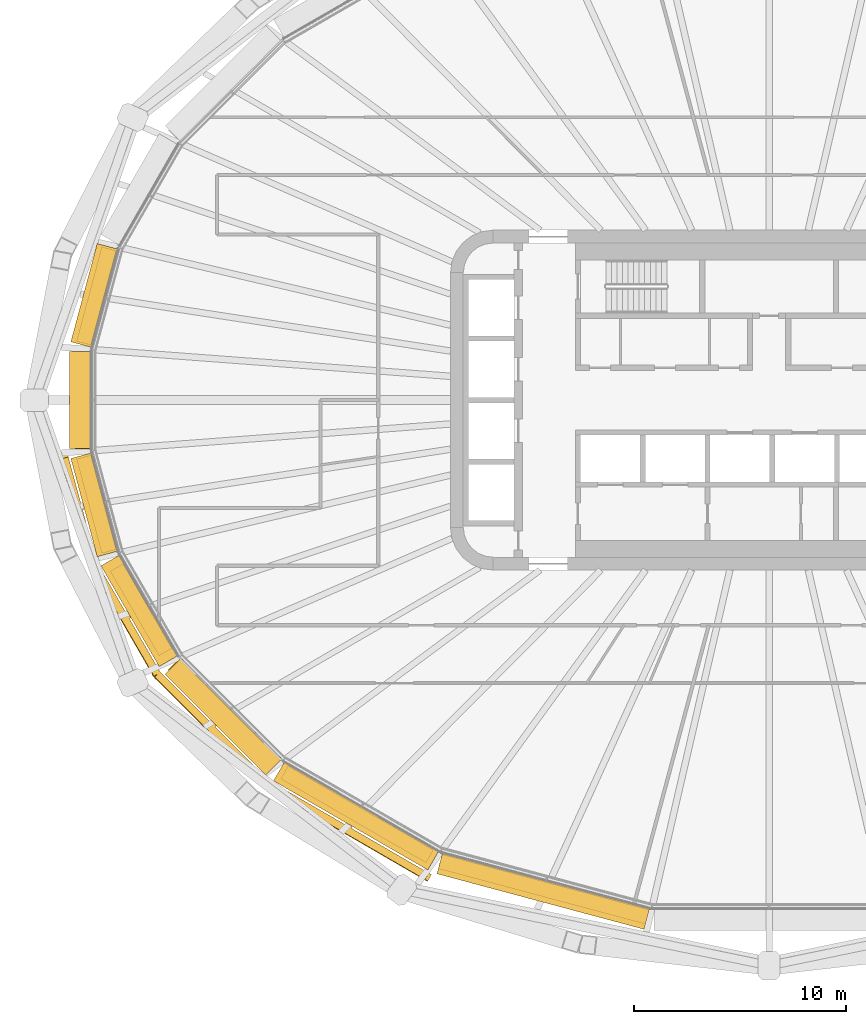
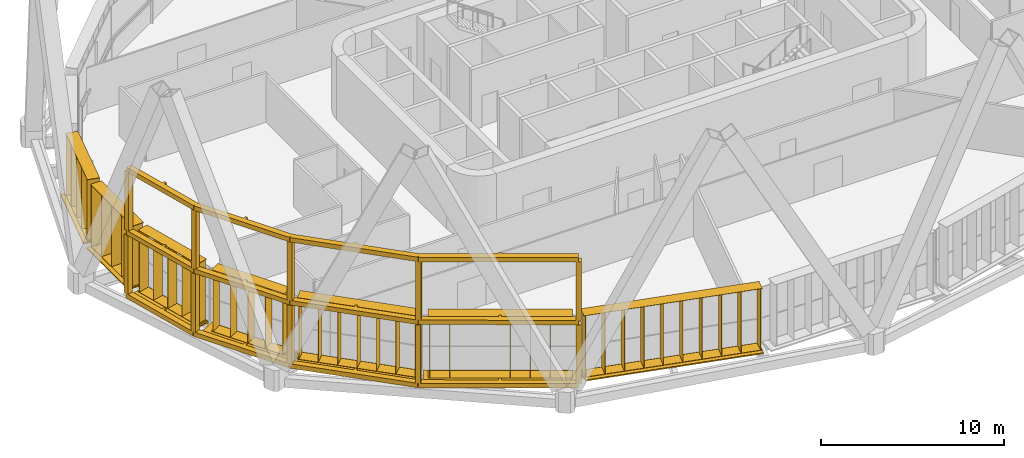
# One storey, part 20 of 25: 15 shading devices.
"""IFC4 building model written with IfcOpenShell, lengths in metres."""

from ifc_helpers import new_model, si_unit, direction, frame, origin, origin_2d, place, context, subcontext, project, spatial, polyline, rectangle, outline, extrude, material, type_object, element, save


model = new_model("IFC4")

# Units and contexts
model_context = context("Model", 3, precision=1e-05, world=origin(), true_north=direction((0.0, 1.0)))
body_context = subcontext(model_context, "Body", "Model", "MODEL_VIEW")
ifc_project = project(units=[si_unit("LENGTHUNIT", "METRE"), si_unit("AREAUNIT", "SQUARE_METRE"), si_unit("VOLUMEUNIT", "CUBIC_METRE"), si_unit("PLANEANGLEUNIT", "RADIAN"), si_unit("MASSUNIT", "GRAM", prefix="KILO")], contexts=[model_context])

# Site, building, storey
site_placement = place(None, origin())
site = spatial("IfcSite", under=ifc_project, at=site_placement, CompositionType="ELEMENT")
building_placement = place(site_placement, origin())
building = spatial("IfcBuilding", under=site, at=building_placement, Name="Sahrelin Media Tower", CompositionType="ELEMENT")
storey_placement = place(building_placement, frame((0.0, 0.0, 114.60009765625)))
storey = spatial("IfcBuildingStorey", under=building, at=storey_placement, Name="L22", CompositionType="ELEMENT", Elevation=114.60009765625)

# Shading devices
ifc_material_1 = material(Name="Dark bronze anodised aluminium 6063-T6", Category="aluminium")
shading_device_type_1 = type_object("IfcShadingDeviceType", Name="Deep frame", PredefinedType="USERDEFINED", material=ifc_material_1)
shading_device_1_placement = place(storey_placement, frame((-31.915771484375, -2.385009765625, 0.0), z_axis=(0.0, 0.0, 1.0), x_axis=(-0.258807731996, 0.965928857556, 0.0)))
element("IfcShadingDevice", 1, at=shading_device_1_placement, inside=storey, type_object=shading_device_type_1, Name="L22:FRAME:F2-3", ObjectType="FRAME", PredefinedType="USERDEFINED", context=body_context, shape_type="SweptSolid", body=[
    extrude(rectangle(XDim=0.300048828125, YDim=0.35009765625, at=origin_2d()), frame((0.0, 1.324951171875, 0.14990234375), z_axis=(0.0, 0.0, 1.0), x_axis=(-1.0, 0.0, 0.0)), (0.0, 0.0, 1.0), 3.900146484375),
    extrude(rectangle(XDim=0.300048828125, YDim=0.35009765625, at=origin_2d()), frame((-5.161376953125, 1.313720703125, 0.14990234375), z_axis=(0.0, 0.0, 1.0), x_axis=(-0.991449189241, -0.130493314592, 0.0)), (0.0, 0.0, 1.0), 3.900146484375),
    extrude(rectangle(XDim=0.300048828125, YDim=0.35009765625, at=origin_2d()), frame((-10.97802734375, -0.24462890625, 0.14990234375), z_axis=(0.0, 0.0, 1.0), x_axis=(-0.923862165937, -0.382725356294, 0.0)), (0.0, 0.0, 1.0), 3.900146484375),
    extrude(rectangle(XDim=0.300048828125, YDim=0.35009765625, at=origin_2d()), frame((-17.2490234375, -3.864990234375, 0.14990234375), z_axis=(0.0, 0.0, 1.0), x_axis=(-0.793352277801, -0.608762813671, 0.0)), (0.0, 0.0, 1.0), 3.900146484375),
    extrude(rectangle(XDim=0.300048828125, YDim=0.35009765625, at=origin_2d()), frame((-23.455078125, -10.054931640625, 0.14990234375), z_axis=(0.0, 0.0, 1.0), x_axis=(-0.707106781187, -0.707106781187, 0.0)), (0.0, 0.0, 1.0), 3.900146484375),
    extrude(outline(polyline([(-23.57861328125, -9.930908203125), (-23.33154296875, -10.1787109375), (-20.342529296875, -7.19775390625), (-20.21923828125, -7.3212890625), (-20.113037109375, -7.215087890625), (-20.236328125, -7.091796875), (-17.1416015625, -4.005126953125), (-14.091064453125, -2.243896484375), (-14.006591796875, -2.389892578125), (-13.876708984375, -2.31494140625), (-13.961181640625, -2.1689453125), (-10.910400390625, -0.40771484375), (-8.096923828125, 0.345947265625), (-8.05322265625, 0.18310546875), (-7.908447265625, 0.221923828125), (-7.951904296875, 0.384765625), (-5.13818359375, 1.138671875), (-2.5693359375, 1.144287109375), (-2.5693359375, 0.969970703125), (-2.419189453125, 0.969970703125), (-2.419189453125, 1.144775390625), (0.00048828125, 1.14990234375), (-0.00048828125, 1.5), (-5.161865234375, 1.48876953125), (-5.161376953125, 1.313720703125), (-5.206787109375, 1.482666015625), (-11.023193359375, -0.07568359375), (-10.97802734375, -0.24462890625), (-11.065673828125, -0.09326171875), (-17.33642578125, -3.71337890625), (-17.2490234375, -3.864990234375), (-17.37255859375, -3.7412109375), (-23.57861328125, -9.930908203125)])), frame((0.0, 0.0, -0.14990234375)), (0.0, 0.0, 1.0), 0.2998046875),
    extrude(rectangle(XDim=0.300048828125, YDim=0.35009765625, at=origin_2d()), frame((-0.006103515625, 1.29150390625, 4.35009765625), z_axis=(0.0, 0.0, 1.0), x_axis=(-1.0, 0.0, 0.0)), (0.0, 0.0, 1.0), 3.89990234375),
    extrude(rectangle(XDim=0.300048828125, YDim=0.35009765625, at=origin_2d()), frame((-5.162109375, 1.280029296875, 4.35009765625), z_axis=(0.0, 0.0, 1.0), x_axis=(-0.991449189241, -0.130493314592, 0.0)), (0.0, 0.0, 1.0), 3.89990234375),
    extrude(rectangle(XDim=0.300048828125, YDim=0.35009765625, at=origin_2d()), frame((-10.97265625, -0.276611328125, 4.35009765625), z_axis=(0.0, 0.0, 1.0), x_axis=(-0.923876860854, -0.382689882252, 0.0)), (0.0, 0.0, 1.0), 3.89990234375),
    extrude(rectangle(XDim=0.300048828125, YDim=0.35009765625, at=origin_2d()), frame((-17.237060546875, -3.893310546875, 4.35009765625), z_axis=(0.0, 0.0, 1.0), x_axis=(-0.793352277801, -0.608762813671, 0.0)), (0.0, 0.0, 1.0), 3.89990234375),
    extrude(rectangle(XDim=0.300048828125, YDim=0.35009765625, at=origin_2d()), frame((-23.4365234375, -10.07666015625, 4.35009765625), z_axis=(0.0, 0.0, 1.0), x_axis=(-0.707206738986, -0.707006809255, 0.0)), (0.0, 0.0, 1.0), 3.89990234375),
    extrude(outline(polyline([(-23.560302734375, -9.95263671875), (-23.31298828125, -10.200439453125), (-20.327392578125, -7.22265625), (-20.2041015625, -7.34619140625), (-20.097900390625, -7.239990234375), (-20.22119140625, -7.11669921875), (-17.129638671875, -4.033447265625), (-14.082275390625, -2.274169921875), (-13.998046875, -2.420166015625), (-13.8681640625, -2.34521484375), (-13.952392578125, -2.19921875), (-10.905029296875, -0.439697265625), (-8.094482421875, 0.313232421875), (-8.05078125, 0.150390625), (-7.906005859375, 0.189208984375), (-7.94970703125, 0.35205078125), (-5.138916015625, 1.105224609375), (-2.57275390625, 1.11083984375), (-2.57275390625, 0.936279296875), (-2.422607421875, 0.936279296875), (-2.422607421875, 1.111083984375), (-0.005859375, 1.116455078125), (-0.006591796875, 1.46630859375), (-5.16259765625, 1.455078125), (-5.162109375, 1.280029296875), (-5.20751953125, 1.44921875), (-11.01806640625, -0.107666015625), (-10.97265625, -0.276611328125), (-11.060302734375, -0.125244140625), (-17.324462890625, -3.74169921875), (-17.237060546875, -3.893310546875), (-17.360595703125, -3.769287109375), (-23.560302734375, -9.95263671875)])), frame((0.0, 0.0, 4.050048828125)), (0.0, 0.0, 1.0), 0.300048828125),
    extrude(outline(polyline([(-23.560302734375, -9.95263671875), (-23.31298828125, -10.200439453125), (-20.327392578125, -7.22265625), (-20.2041015625, -7.34619140625), (-20.097900390625, -7.239990234375), (-20.22119140625, -7.11669921875), (-17.129638671875, -4.033447265625), (-14.082275390625, -2.274169921875), (-13.998046875, -2.420166015625), (-13.8681640625, -2.34521484375), (-13.952392578125, -2.19921875), (-10.905029296875, -0.439697265625), (-8.094482421875, 0.313232421875), (-8.05078125, 0.150390625), (-7.906005859375, 0.189208984375), (-7.94970703125, 0.35205078125), (-5.138916015625, 1.105224609375), (-2.57275390625, 1.11083984375), (-2.57275390625, 0.936279296875), (-2.422607421875, 0.936279296875), (-2.422607421875, 1.111083984375), (-0.005859375, 1.116455078125), (-0.006591796875, 1.46630859375), (-5.16259765625, 1.455078125), (-5.162109375, 1.280029296875), (-5.20751953125, 1.44921875), (-11.01806640625, -0.107666015625), (-10.97265625, -0.276611328125), (-11.060302734375, -0.125244140625), (-17.324462890625, -3.74169921875), (-17.237060546875, -3.893310546875), (-17.360595703125, -3.769287109375), (-23.560302734375, -9.95263671875)])), frame((0.0, 0.0, 8.25)), (0.0, 0.0, 1.0), 0.300048828125),
])
ifc_material_2 = material(Name="Champagne anodised aluminium 6063-T6", Category="aluminium")
shading_device_type_2 = type_object("IfcShadingDeviceType", Name="Fin cassette", PredefinedType="USERDEFINED", material=ifc_material_2)
placement_1 = place(storey_placement, frame((-31.270263671875, 4.794189453125, 0.0), z_axis=(0.0, 0.0, 1.0), x_axis=(0.258807731996, 0.965928857556, 0.0)))
element("IfcShadingDevice", 2, at=placement_1, inside=storey, type_object=shading_device_type_2, Name="L22:FIN:L22-11", ObjectType="FIN", PredefinedType="USERDEFINED", context=body_context, shape_type="SweptSolid", body=[
    extrude(rectangle(XDim=4.60009765625, YDim=0.699951171875, at=origin_2d()), frame((0.0, 0.419921875, 0.0)), (0.0, 0.0, 1.0), 0.02001953125),
    extrude(rectangle(XDim=4.60009765625, YDim=0.699951171875, at=origin_2d()), frame((0.0, 0.419921875, 4.10009765625)), (0.0, 0.0, 1.0), 0.02001953125),
    extrude(rectangle(XDim=0.02001953125, YDim=0.699951171875, at=origin_2d()), frame((-2.199951171875, 0.419921875, 0.010009765625), z_axis=(0.0, 0.0, 1.0), x_axis=(1.0, 0.0, 0.0)), (0.0, 0.0, 1.0), 4.10009765625),
    extrude(rectangle(XDim=0.02001953125, YDim=0.699951171875, at=origin_2d()), frame((-1.10009765625, 0.419921875, 0.010009765625), z_axis=(0.0, 0.0, 1.0), x_axis=(1.0, 0.0, 0.0)), (0.0, 0.0, 1.0), 4.10009765625),
    extrude(rectangle(XDim=0.02001953125, YDim=0.699951171875, at=origin_2d()), frame((0.0, 0.419921875, 0.010009765625), z_axis=(0.0, 0.0, 1.0), x_axis=(1.0, 0.0, 0.0)), (0.0, 0.0, 1.0), 4.10009765625),
    extrude(rectangle(XDim=0.02001953125, YDim=0.699951171875, at=origin_2d()), frame((1.10009765625, 0.419921875, 0.010009765625), z_axis=(0.0, 0.0, 1.0), x_axis=(1.0, 0.0, 0.0)), (0.0, 0.0, 1.0), 4.10009765625),
    extrude(rectangle(XDim=0.02001953125, YDim=0.699951171875, at=origin_2d()), frame((2.199951171875, 0.419921875, 0.010009765625), z_axis=(0.0, 0.0, 1.0), x_axis=(1.0, 0.0, 0.0)), (0.0, 0.0, 1.0), 4.10009765625),
])
placement_2 = place(storey_placement, frame((-31.915771484375, 0.0, 0.0), z_axis=(0.0, 0.0, 1.0), x_axis=(0.0, 1.0, 0.0)))
element("IfcShadingDevice", 3, at=placement_2, inside=storey, type_object=shading_device_type_2, Name="L22:FIN:L22-12", ObjectType="FIN", PredefinedType="USERDEFINED", context=body_context, shape_type="SweptSolid", body=[
    extrude(rectangle(XDim=4.60009765625, YDim=0.699951171875, at=origin_2d()), frame((0.0, 0.419921875, 0.0)), (0.0, 0.0, 1.0), 0.02001953125),
    extrude(rectangle(XDim=4.60009765625, YDim=0.699951171875, at=origin_2d()), frame((0.0, 0.419921875, 4.10009765625)), (0.0, 0.0, 1.0), 0.02001953125),
    extrude(rectangle(XDim=0.02001953125, YDim=0.699951171875, at=origin_2d()), frame((-2.199951171875, 0.419921875, 0.010009765625), z_axis=(0.0, 0.0, 1.0), x_axis=(1.0, 0.0, 0.0)), (0.0, 0.0, 1.0), 4.10009765625),
    extrude(rectangle(XDim=0.02001953125, YDim=0.699951171875, at=origin_2d()), frame((-1.10009765625, 0.419921875, 0.010009765625), z_axis=(0.0, 0.0, 1.0), x_axis=(1.0, 0.0, 0.0)), (0.0, 0.0, 1.0), 4.10009765625),
    extrude(rectangle(XDim=0.02001953125, YDim=0.699951171875, at=origin_2d()), frame((0.0, 0.419921875, 0.010009765625), z_axis=(0.0, 0.0, 1.0), x_axis=(1.0, 0.0, 0.0)), (0.0, 0.0, 1.0), 4.10009765625),
    extrude(rectangle(XDim=0.02001953125, YDim=0.699951171875, at=origin_2d()), frame((1.10009765625, 0.419921875, 0.010009765625), z_axis=(0.0, 0.0, 1.0), x_axis=(1.0, 0.0, 0.0)), (0.0, 0.0, 1.0), 4.10009765625),
    extrude(rectangle(XDim=0.02001953125, YDim=0.699951171875, at=origin_2d()), frame((2.199951171875, 0.419921875, 0.010009765625), z_axis=(0.0, 0.0, 1.0), x_axis=(1.0, 0.0, 0.0)), (0.0, 0.0, 1.0), 4.10009765625),
])
placement_3 = place(storey_placement, frame((-31.270263671875, -4.794189453125, 0.0), z_axis=(0.0, 0.0, 1.0), x_axis=(-0.258807731996, 0.965928857556, 0.0)))
element("IfcShadingDevice", 4, at=placement_3, inside=storey, type_object=shading_device_type_2, Name="L22:FIN:L22-13", ObjectType="FIN", PredefinedType="USERDEFINED", context=body_context, shape_type="SweptSolid", body=[
    extrude(rectangle(XDim=4.60009765625, YDim=0.699951171875, at=origin_2d()), frame((0.0, 0.419921875, 0.0)), (0.0, 0.0, 1.0), 0.02001953125),
    extrude(rectangle(XDim=4.60009765625, YDim=0.699951171875, at=origin_2d()), frame((0.0, 0.419921875, 4.10009765625)), (0.0, 0.0, 1.0), 0.02001953125),
    extrude(rectangle(XDim=0.02001953125, YDim=0.699951171875, at=origin_2d()), frame((-2.199951171875, 0.419921875, 0.010009765625), z_axis=(0.0, 0.0, 1.0), x_axis=(1.0, 0.0, 0.0)), (0.0, 0.0, 1.0), 4.10009765625),
    extrude(rectangle(XDim=0.02001953125, YDim=0.699951171875, at=origin_2d()), frame((-1.10009765625, 0.419921875, 0.010009765625), z_axis=(0.0, 0.0, 1.0), x_axis=(1.0, 0.0, 0.0)), (0.0, 0.0, 1.0), 4.10009765625),
    extrude(rectangle(XDim=0.02001953125, YDim=0.699951171875, at=origin_2d()), frame((0.0, 0.419921875, 0.010009765625), z_axis=(0.0, 0.0, 1.0), x_axis=(1.0, 0.0, 0.0)), (0.0, 0.0, 1.0), 4.10009765625),
    extrude(rectangle(XDim=0.02001953125, YDim=0.699951171875, at=origin_2d()), frame((1.10009765625, 0.419921875, 0.010009765625), z_axis=(0.0, 0.0, 1.0), x_axis=(1.0, 0.0, 0.0)), (0.0, 0.0, 1.0), 4.10009765625),
    extrude(rectangle(XDim=0.02001953125, YDim=0.699951171875, at=origin_2d()), frame((2.199951171875, 0.419921875, 0.010009765625), z_axis=(0.0, 0.0, 1.0), x_axis=(1.0, 0.0, 0.0)), (0.0, 0.0, 1.0), 4.10009765625),
])
placement_4 = place(storey_placement, frame((-29.20556640625, -9.6611328125, 0.0), z_axis=(0.0, 0.0, 1.0), x_axis=(-0.500011000363, 0.866019052629, 0.0)))
element("IfcShadingDevice", 5, at=placement_4, inside=storey, type_object=shading_device_type_2, Name="L22:FIN:L22-14", ObjectType="FIN", PredefinedType="USERDEFINED", context=body_context, shape_type="SweptSolid", body=[
    extrude(rectangle(XDim=4.60009765625, YDim=0.699951171875, at=origin_2d()), frame((0.0, 0.419921875, 0.0)), (0.0, 0.0, 1.0), 0.02001953125),
    extrude(rectangle(XDim=4.60009765625, YDim=0.699951171875, at=origin_2d()), frame((0.0, 0.419921875, 4.10009765625)), (0.0, 0.0, 1.0), 0.02001953125),
    extrude(rectangle(XDim=0.02001953125, YDim=0.699951171875, at=origin_2d()), frame((-2.199951171875, 0.419921875, 0.010009765625), z_axis=(0.0, 0.0, 1.0), x_axis=(1.0, 0.0, 0.0)), (0.0, 0.0, 1.0), 4.10009765625),
    extrude(rectangle(XDim=0.02001953125, YDim=0.699951171875, at=origin_2d()), frame((-1.10009765625, 0.419921875, 0.010009765625), z_axis=(0.0, 0.0, 1.0), x_axis=(1.0, 0.0, 0.0)), (0.0, 0.0, 1.0), 4.10009765625),
    extrude(rectangle(XDim=0.02001953125, YDim=0.699951171875, at=origin_2d()), frame((0.0, 0.419921875, 0.010009765625), z_axis=(0.0, 0.0, 1.0), x_axis=(1.0, 0.0, 0.0)), (0.0, 0.0, 1.0), 4.10009765625),
    extrude(rectangle(XDim=0.02001953125, YDim=0.699951171875, at=origin_2d()), frame((1.10009765625, 0.419921875, 0.010009765625), z_axis=(0.0, 0.0, 1.0), x_axis=(1.0, 0.0, 0.0)), (0.0, 0.0, 1.0), 4.10009765625),
    extrude(rectangle(XDim=0.02001953125, YDim=0.699951171875, at=origin_2d()), frame((2.199951171875, 0.419921875, 0.010009765625), z_axis=(0.0, 0.0, 1.0), x_axis=(1.0, 0.0, 0.0)), (0.0, 0.0, 1.0), 4.10009765625),
])
placement_5 = place(storey_placement, frame((-25.34912109375, -14.556884765625, 0.0), z_axis=(0.0, 0.0, 1.0), x_axis=(-0.707106781187, 0.707106781187, 0.0)))
element("IfcShadingDevice", 6, at=placement_5, inside=storey, type_object=shading_device_type_2, Name="L22:FIN:L22-15", ObjectType="FIN", PredefinedType="USERDEFINED", context=body_context, shape_type="SweptSolid", body=[
    extrude(rectangle(XDim=6.800048828125, YDim=0.699951171875, at=origin_2d()), frame((0.0, 0.419921875, 0.0)), (0.0, 0.0, 1.0), 0.02001953125),
    extrude(rectangle(XDim=6.800048828125, YDim=0.699951171875, at=origin_2d()), frame((0.0, 0.419921875, 4.10009765625)), (0.0, 0.0, 1.0), 0.02001953125),
    extrude(rectangle(XDim=0.02001953125, YDim=0.699951171875, at=origin_2d()), frame((-3.300048828125, 0.419921875, 0.010009765625), z_axis=(0.0, 0.0, 1.0), x_axis=(1.0, 0.0, 0.0)), (0.0, 0.0, 1.0), 4.10009765625),
    extrude(rectangle(XDim=0.02001953125, YDim=0.699951171875, at=origin_2d()), frame((-2.199951171875, 0.419921875, 0.010009765625), z_axis=(0.0, 0.0, 1.0), x_axis=(1.0, 0.0, 0.0)), (0.0, 0.0, 1.0), 4.10009765625),
    extrude(rectangle(XDim=0.02001953125, YDim=0.699951171875, at=origin_2d()), frame((-1.10009765625, 0.419921875, 0.010009765625), z_axis=(0.0, 0.0, 1.0), x_axis=(1.0, 0.0, 0.0)), (0.0, 0.0, 1.0), 4.10009765625),
    extrude(rectangle(XDim=0.02001953125, YDim=0.699951171875, at=origin_2d()), frame((0.0, 0.419921875, 0.010009765625), z_axis=(0.0, 0.0, 1.0), x_axis=(1.0, 0.0, 0.0)), (0.0, 0.0, 1.0), 4.10009765625),
    extrude(rectangle(XDim=0.02001953125, YDim=0.699951171875, at=origin_2d()), frame((1.10009765625, 0.419921875, 0.010009765625), z_axis=(0.0, 0.0, 1.0), x_axis=(1.0, 0.0, 0.0)), (0.0, 0.0, 1.0), 4.10009765625),
    extrude(rectangle(XDim=0.02001953125, YDim=0.699951171875, at=origin_2d()), frame((2.199951171875, 0.419921875, 0.010009765625), z_axis=(0.0, 0.0, 1.0), x_axis=(1.0, 0.0, 0.0)), (0.0, 0.0, 1.0), 4.10009765625),
    extrude(rectangle(XDim=0.02001953125, YDim=0.699951171875, at=origin_2d()), frame((3.300048828125, 0.419921875, 0.010009765625), z_axis=(0.0, 0.0, 1.0), x_axis=(1.0, 0.0, 0.0)), (0.0, 0.0, 1.0), 4.10009765625),
])
placement_6 = place(storey_placement, frame((-19.190673828125, -19.142578125, 0.0), z_axis=(0.0, 0.0, 1.0), x_axis=(-0.866019052629, 0.500011000363, 0.0)))
element("IfcShadingDevice", 7, at=placement_6, inside=storey, type_object=shading_device_type_2, Name="L22:FIN:L22-16", ObjectType="FIN", PredefinedType="USERDEFINED", context=body_context, shape_type="SweptSolid", body=[
    extrude(rectangle(XDim=7.89990234375, YDim=0.699951171875, at=origin_2d()), frame((0.0, 0.419921875, 0.0)), (0.0, 0.0, 1.0), 0.02001953125),
    extrude(rectangle(XDim=7.89990234375, YDim=0.699951171875, at=origin_2d()), frame((0.0, 0.419921875, 4.10009765625)), (0.0, 0.0, 1.0), 0.02001953125),
    extrude(rectangle(XDim=0.02001953125, YDim=0.699951171875, at=origin_2d()), frame((-3.85009765625, 0.419921875, 0.010009765625), z_axis=(0.0, 0.0, 1.0), x_axis=(1.0, 0.0, 0.0)), (0.0, 0.0, 1.0), 4.10009765625),
    extrude(rectangle(XDim=0.02001953125, YDim=0.699951171875, at=origin_2d()), frame((-2.75, 0.419921875, 0.010009765625), z_axis=(0.0, 0.0, 1.0), x_axis=(1.0, 0.0, 0.0)), (0.0, 0.0, 1.0), 4.10009765625),
    extrude(rectangle(XDim=0.02001953125, YDim=0.699951171875, at=origin_2d()), frame((-1.64990234375, 0.419921875, 0.010009765625), z_axis=(0.0, 0.0, 1.0), x_axis=(1.0, 0.0, 0.0)), (0.0, 0.0, 1.0), 4.10009765625),
    extrude(rectangle(XDim=0.02001953125, YDim=0.699951171875, at=origin_2d()), frame((-0.550048828125, 0.419921875, 0.010009765625), z_axis=(0.0, 0.0, 1.0), x_axis=(1.0, 0.0, 0.0)), (0.0, 0.0, 1.0), 4.10009765625),
    extrude(rectangle(XDim=0.02001953125, YDim=0.699951171875, at=origin_2d()), frame((0.550048828125, 0.419921875, 0.010009765625), z_axis=(0.0, 0.0, 1.0), x_axis=(1.0, 0.0, 0.0)), (0.0, 0.0, 1.0), 4.10009765625),
    extrude(rectangle(XDim=0.02001953125, YDim=0.699951171875, at=origin_2d()), frame((1.64990234375, 0.419921875, 0.010009765625), z_axis=(0.0, 0.0, 1.0), x_axis=(1.0, 0.0, 0.0)), (0.0, 0.0, 1.0), 4.10009765625),
    extrude(rectangle(XDim=0.02001953125, YDim=0.699951171875, at=origin_2d()), frame((2.75, 0.419921875, 0.010009765625), z_axis=(0.0, 0.0, 1.0), x_axis=(1.0, 0.0, 0.0)), (0.0, 0.0, 1.0), 4.10009765625),
    extrude(rectangle(XDim=0.02001953125, YDim=0.699951171875, at=origin_2d()), frame((3.85009765625, 0.419921875, 0.010009765625), z_axis=(0.0, 0.0, 1.0), x_axis=(1.0, 0.0, 0.0)), (0.0, 0.0, 1.0), 4.10009765625),
])
placement_7 = place(storey_placement, frame((-10.498046875, -22.623046875, 0.0), z_axis=(0.0, 0.0, 1.0), x_axis=(-0.965928857556, 0.258807731996, 0.0)))
element("IfcShadingDevice", 8, at=placement_7, inside=storey, type_object=shading_device_type_2, Name="L22:FIN:L22-17", ObjectType="FIN", PredefinedType="USERDEFINED", context=body_context, shape_type="SweptSolid", body=[
    extrude(rectangle(XDim=10.10009765625, YDim=0.699951171875, at=origin_2d()), frame((0.0, 0.419921875, 0.0)), (0.0, 0.0, 1.0), 0.02001953125),
    extrude(rectangle(XDim=10.10009765625, YDim=0.699951171875, at=origin_2d()), frame((0.0, 0.419921875, 4.10009765625)), (0.0, 0.0, 1.0), 0.02001953125),
    extrude(rectangle(XDim=0.02001953125, YDim=0.699951171875, at=origin_2d()), frame((-4.949951171875, 0.419921875, 0.010009765625), z_axis=(0.0, 0.0, 1.0), x_axis=(1.0, 0.0, 0.0)), (0.0, 0.0, 1.0), 4.10009765625),
    extrude(rectangle(XDim=0.02001953125, YDim=0.699951171875, at=origin_2d()), frame((-3.85009765625, 0.419921875, 0.010009765625), z_axis=(0.0, 0.0, 1.0), x_axis=(1.0, 0.0, 0.0)), (0.0, 0.0, 1.0), 4.10009765625),
    extrude(rectangle(XDim=0.02001953125, YDim=0.699951171875, at=origin_2d()), frame((-2.75, 0.419921875, 0.010009765625), z_axis=(0.0, 0.0, 1.0), x_axis=(1.0, 0.0, 0.0)), (0.0, 0.0, 1.0), 4.10009765625),
    extrude(rectangle(XDim=0.02001953125, YDim=0.699951171875, at=origin_2d()), frame((-1.64990234375, 0.419921875, 0.010009765625), z_axis=(0.0, 0.0, 1.0), x_axis=(1.0, 0.0, 0.0)), (0.0, 0.0, 1.0), 4.10009765625),
    extrude(rectangle(XDim=0.02001953125, YDim=0.699951171875, at=origin_2d()), frame((-0.550048828125, 0.419921875, 0.010009765625), z_axis=(0.0, 0.0, 1.0), x_axis=(1.0, 0.0, 0.0)), (0.0, 0.0, 1.0), 4.10009765625),
    extrude(rectangle(XDim=0.02001953125, YDim=0.699951171875, at=origin_2d()), frame((0.550048828125, 0.419921875, 0.010009765625), z_axis=(0.0, 0.0, 1.0), x_axis=(1.0, 0.0, 0.0)), (0.0, 0.0, 1.0), 4.10009765625),
    extrude(rectangle(XDim=0.02001953125, YDim=0.699951171875, at=origin_2d()), frame((1.64990234375, 0.419921875, 0.010009765625), z_axis=(0.0, 0.0, 1.0), x_axis=(1.0, 0.0, 0.0)), (0.0, 0.0, 1.0), 4.10009765625),
    extrude(rectangle(XDim=0.02001953125, YDim=0.699951171875, at=origin_2d()), frame((2.75, 0.419921875, 0.010009765625), z_axis=(0.0, 0.0, 1.0), x_axis=(1.0, 0.0, 0.0)), (0.0, 0.0, 1.0), 4.10009765625),
    extrude(rectangle(XDim=0.02001953125, YDim=0.699951171875, at=origin_2d()), frame((3.85009765625, 0.419921875, 0.010009765625), z_axis=(0.0, 0.0, 1.0), x_axis=(1.0, 0.0, 0.0)), (0.0, 0.0, 1.0), 4.10009765625),
    extrude(rectangle(XDim=0.02001953125, YDim=0.699951171875, at=origin_2d()), frame((4.949951171875, 0.419921875, 0.010009765625), z_axis=(0.0, 0.0, 1.0), x_axis=(1.0, 0.0, 0.0)), (0.0, 0.0, 1.0), 4.10009765625),
])
shading_device_type_3 = type_object("IfcShadingDeviceType", Name="Sunshade band", PredefinedType="USERDEFINED", material=ifc_material_2)
element("IfcShadingDevice", 9, at=placement_1, inside=storey, type_object=shading_device_type_3, Name="L22:SUN:L22-11", ObjectType="SUNSHADE", PredefinedType="USERDEFINED", context=body_context, shape_type="SweptSolid", body=[
    extrude(rectangle(XDim=4.78857421875, YDim=0.050048828125, at=origin_2d()), frame((0.0, 0.044921875, -0.55126953125)), (0.0, 0.0, 1.0), 0.471435546875),
    extrude(rectangle(XDim=4.78857421875, YDim=1.0, at=origin_2d()), frame((0.0, 0.52001953125, -0.080078125)), (0.0, 0.0, 1.0), 0.080078125),
    extrude(rectangle(XDim=0.10009765625, YDim=0.074951171875, at=origin_2d()), frame((-2.294189453125, -0.017578125, -0.47021484375)), (0.0, 0.0, 1.0), 0.300048828125),
    extrude(rectangle(XDim=0.10009765625, YDim=0.074951171875, at=origin_2d()), frame((-0.764892578125, -0.017578125, -0.47021484375)), (0.0, 0.0, 1.0), 0.300048828125),
    extrude(rectangle(XDim=0.10009765625, YDim=0.074951171875, at=origin_2d()), frame((0.764892578125, -0.017578125, -0.47021484375)), (0.0, 0.0, 1.0), 0.300048828125),
    extrude(rectangle(XDim=0.10009765625, YDim=0.074951171875, at=origin_2d()), frame((2.294189453125, -0.017578125, -0.47021484375)), (0.0, 0.0, 1.0), 0.300048828125),
])
element("IfcShadingDevice", 10, at=placement_2, inside=storey, type_object=shading_device_type_3, Name="L22:SUN:L22-12", ObjectType="SUNSHADE", PredefinedType="USERDEFINED", context=body_context, shape_type="SweptSolid", body=[
    extrude(rectangle(XDim=4.570068359375, YDim=0.050048828125, at=origin_2d()), frame((0.0, 0.044921875, -0.55126953125)), (0.0, 0.0, 1.0), 0.471435546875),
    extrude(rectangle(XDim=4.570068359375, YDim=1.0, at=origin_2d()), frame((0.0, 0.52001953125, -0.080078125)), (0.0, 0.0, 1.0), 0.080078125),
    extrude(rectangle(XDim=0.10009765625, YDim=0.074951171875, at=origin_2d()), frame((-2.18505859375, -0.017578125, -0.47021484375)), (0.0, 0.0, 1.0), 0.300048828125),
    extrude(rectangle(XDim=0.10009765625, YDim=0.074951171875, at=origin_2d()), frame((-0.728271484375, -0.017578125, -0.47021484375)), (0.0, 0.0, 1.0), 0.300048828125),
    extrude(rectangle(XDim=0.10009765625, YDim=0.074951171875, at=origin_2d()), frame((0.728271484375, -0.017578125, -0.47021484375)), (0.0, 0.0, 1.0), 0.300048828125),
    extrude(rectangle(XDim=0.10009765625, YDim=0.074951171875, at=origin_2d()), frame((2.18505859375, -0.017578125, -0.47021484375)), (0.0, 0.0, 1.0), 0.300048828125),
])
element("IfcShadingDevice", 11, at=placement_3, inside=storey, type_object=shading_device_type_3, Name="L22:SUN:L22-13", ObjectType="SUNSHADE", PredefinedType="USERDEFINED", context=body_context, shape_type="SweptSolid", body=[
    extrude(rectangle(XDim=4.78857421875, YDim=0.050048828125, at=origin_2d()), frame((0.0, 0.044921875, -0.55126953125)), (0.0, 0.0, 1.0), 0.471435546875),
    extrude(rectangle(XDim=4.78857421875, YDim=1.0, at=origin_2d()), frame((0.0, 0.52001953125, -0.080078125)), (0.0, 0.0, 1.0), 0.080078125),
    extrude(rectangle(XDim=0.10009765625, YDim=0.074951171875, at=origin_2d()), frame((-2.294189453125, -0.017578125, -0.47021484375)), (0.0, 0.0, 1.0), 0.300048828125),
    extrude(rectangle(XDim=0.10009765625, YDim=0.074951171875, at=origin_2d()), frame((-0.764892578125, -0.017578125, -0.47021484375)), (0.0, 0.0, 1.0), 0.300048828125),
    extrude(rectangle(XDim=0.10009765625, YDim=0.074951171875, at=origin_2d()), frame((0.764892578125, -0.017578125, -0.47021484375)), (0.0, 0.0, 1.0), 0.300048828125),
    extrude(rectangle(XDim=0.10009765625, YDim=0.074951171875, at=origin_2d()), frame((2.294189453125, -0.017578125, -0.47021484375)), (0.0, 0.0, 1.0), 0.300048828125),
])
element("IfcShadingDevice", 12, at=placement_4, inside=storey, type_object=shading_device_type_3, Name="L22:SUN:L22-14", ObjectType="SUNSHADE", PredefinedType="USERDEFINED", context=body_context, shape_type="SweptSolid", body=[
    extrude(rectangle(XDim=5.475830078125, YDim=0.050048828125, at=origin_2d()), frame((0.0, 0.044921875, -0.55126953125)), (0.0, 0.0, 1.0), 0.471435546875),
    extrude(rectangle(XDim=5.475830078125, YDim=1.0, at=origin_2d()), frame((0.0, 0.52001953125, -0.080078125)), (0.0, 0.0, 1.0), 0.080078125),
    extrude(rectangle(XDim=0.10009765625, YDim=0.074951171875, at=origin_2d()), frame((-2.637939453125, -0.017578125, -0.47021484375)), (0.0, 0.0, 1.0), 0.300048828125),
    extrude(rectangle(XDim=0.10009765625, YDim=0.074951171875, at=origin_2d()), frame((-0.87939453125, -0.017578125, -0.47021484375)), (0.0, 0.0, 1.0), 0.300048828125),
    extrude(rectangle(XDim=0.10009765625, YDim=0.074951171875, at=origin_2d()), frame((0.87939453125, -0.017578125, -0.47021484375)), (0.0, 0.0, 1.0), 0.300048828125),
    extrude(rectangle(XDim=0.10009765625, YDim=0.074951171875, at=origin_2d()), frame((2.637939453125, -0.017578125, -0.47021484375)), (0.0, 0.0, 1.0), 0.300048828125),
])
element("IfcShadingDevice", 13, at=placement_5, inside=storey, type_object=shading_device_type_3, Name="L22:SUN:L22-15", ObjectType="SUNSHADE", PredefinedType="USERDEFINED", context=body_context, shape_type="SweptSolid", body=[
    extrude(rectangle(XDim=6.695068359375, YDim=0.050048828125, at=origin_2d()), frame((0.0, 0.044921875, -0.55126953125)), (0.0, 0.0, 1.0), 0.471435546875),
    extrude(rectangle(XDim=6.695068359375, YDim=1.0, at=origin_2d()), frame((0.0, 0.52001953125, -0.080078125)), (0.0, 0.0, 1.0), 0.080078125),
    extrude(rectangle(XDim=0.10009765625, YDim=0.074951171875, at=origin_2d()), frame((-3.24755859375, -0.017578125, -0.47021484375)), (0.0, 0.0, 1.0), 0.300048828125),
    extrude(rectangle(XDim=0.10009765625, YDim=0.074951171875, at=origin_2d()), frame((-1.623779296875, -0.017578125, -0.47021484375)), (0.0, 0.0, 1.0), 0.300048828125),
    extrude(rectangle(XDim=0.10009765625, YDim=0.074951171875, at=origin_2d()), frame((0.0, -0.017578125, -0.47021484375)), (0.0, 0.0, 1.0), 0.300048828125),
    extrude(rectangle(XDim=0.10009765625, YDim=0.074951171875, at=origin_2d()), frame((1.623779296875, -0.017578125, -0.47021484375)), (0.0, 0.0, 1.0), 0.300048828125),
    extrude(rectangle(XDim=0.10009765625, YDim=0.074951171875, at=origin_2d()), frame((3.24755859375, -0.017578125, -0.47021484375)), (0.0, 0.0, 1.0), 0.300048828125),
])
element("IfcShadingDevice", 14, at=placement_6, inside=storey, type_object=shading_device_type_3, Name="L22:SUN:L22-16", ObjectType="SUNSHADE", PredefinedType="USERDEFINED", context=body_context, shape_type="SweptSolid", body=[
    extrude(rectangle(XDim=8.39208984375, YDim=0.050048828125, at=origin_2d()), frame((0.0, 0.044921875, -0.55126953125)), (0.0, 0.0, 1.0), 0.471435546875),
    extrude(rectangle(XDim=8.39208984375, YDim=1.0, at=origin_2d()), frame((0.0, 0.52001953125, -0.080078125)), (0.0, 0.0, 1.0), 0.080078125),
    extrude(rectangle(XDim=0.10009765625, YDim=0.074951171875, at=origin_2d()), frame((-4.09619140625, -0.017578125, -0.47021484375)), (0.0, 0.0, 1.0), 0.300048828125),
    extrude(rectangle(XDim=0.10009765625, YDim=0.074951171875, at=origin_2d()), frame((-2.457763671875, -0.017578125, -0.47021484375)), (0.0, 0.0, 1.0), 0.300048828125),
    extrude(rectangle(XDim=0.10009765625, YDim=0.074951171875, at=origin_2d()), frame((-0.819091796875, -0.017578125, -0.47021484375)), (0.0, 0.0, 1.0), 0.300048828125),
    extrude(rectangle(XDim=0.10009765625, YDim=0.074951171875, at=origin_2d()), frame((0.819091796875, -0.017578125, -0.47021484375)), (0.0, 0.0, 1.0), 0.300048828125),
    extrude(rectangle(XDim=0.10009765625, YDim=0.074951171875, at=origin_2d()), frame((2.457763671875, -0.017578125, -0.47021484375)), (0.0, 0.0, 1.0), 0.300048828125),
    extrude(rectangle(XDim=0.10009765625, YDim=0.074951171875, at=origin_2d()), frame((4.09619140625, -0.017578125, -0.47021484375)), (0.0, 0.0, 1.0), 0.300048828125),
])
element("IfcShadingDevice", 15, at=placement_7, inside=storey, type_object=shading_device_type_3, Name="L22:SUN:L22-17", ObjectType="SUNSHADE", PredefinedType="USERDEFINED", context=body_context, shape_type="SweptSolid", body=[
    extrude(rectangle(XDim=10.0947265625, YDim=0.050048828125, at=origin_2d()), frame((0.0, 0.044921875, -0.55126953125)), (0.0, 0.0, 1.0), 0.471435546875),
    extrude(rectangle(XDim=10.0947265625, YDim=1.0, at=origin_2d()), frame((0.0, 0.52001953125, -0.080078125)), (0.0, 0.0, 1.0), 0.080078125),
    extrude(rectangle(XDim=0.10009765625, YDim=0.074951171875, at=origin_2d()), frame((-4.947509765625, -0.017578125, -0.47021484375)), (0.0, 0.0, 1.0), 0.300048828125),
    extrude(rectangle(XDim=0.10009765625, YDim=0.074951171875, at=origin_2d()), frame((-3.29833984375, -0.017578125, -0.47021484375)), (0.0, 0.0, 1.0), 0.300048828125),
    extrude(rectangle(XDim=0.10009765625, YDim=0.074951171875, at=origin_2d()), frame((-1.649169921875, -0.017578125, -0.47021484375)), (0.0, 0.0, 1.0), 0.300048828125),
    extrude(rectangle(XDim=0.10009765625, YDim=0.074951171875, at=origin_2d()), frame((0.0, -0.017578125, -0.47021484375)), (0.0, 0.0, 1.0), 0.300048828125),
    extrude(rectangle(XDim=0.10009765625, YDim=0.074951171875, at=origin_2d()), frame((1.649169921875, -0.017578125, -0.47021484375)), (0.0, 0.0, 1.0), 0.300048828125),
    extrude(rectangle(XDim=0.10009765625, YDim=0.074951171875, at=origin_2d()), frame((3.29833984375, -0.017578125, -0.47021484375)), (0.0, 0.0, 1.0), 0.300048828125),
    extrude(rectangle(XDim=0.10009765625, YDim=0.074951171875, at=origin_2d()), frame((4.947509765625, -0.017578125, -0.47021484375)), (0.0, 0.0, 1.0), 0.300048828125),
])

save(model, "model.ifc")
